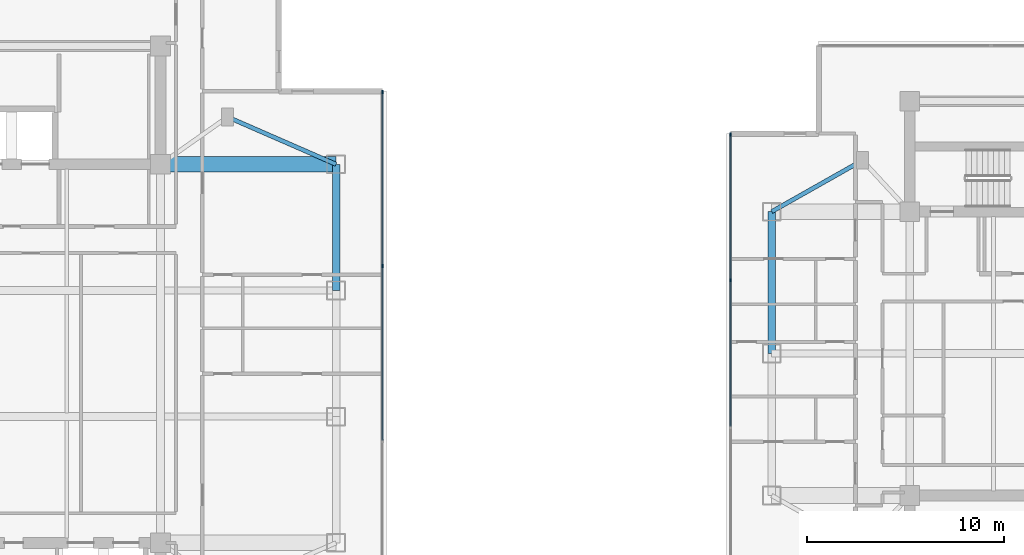
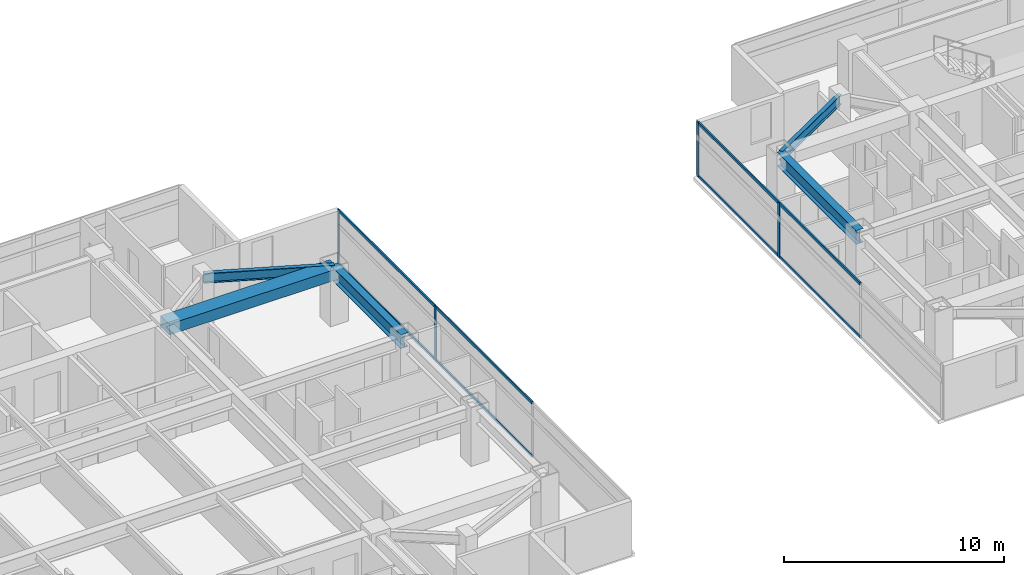
# One storey, part 6 of 24: 12 members, 5 beams, 2 elements without a shape of their own.
"""IFC4 building model written with IfcOpenShell, lengths in metres."""

from ifc_helpers import new_model, si_unit, direction, frame, origin, origin_2d, place, context, subcontext, project, spatial, rectangle, i_section, extrude, material, material_profile, profile_set, type_object, element, aggregate, save


model = new_model("IFC4")

# Units and contexts
model_context = context("Model", 3, precision=1e-05, world=origin(), true_north=direction((0.0, 1.0)))
body_context = subcontext(model_context, "Body", "Model", "MODEL_VIEW")
ifc_project = project(units=[si_unit("LENGTHUNIT", "METRE"), si_unit("AREAUNIT", "SQUARE_METRE"), si_unit("VOLUMEUNIT", "CUBIC_METRE"), si_unit("PLANEANGLEUNIT", "RADIAN"), si_unit("MASSUNIT", "GRAM", prefix="KILO")], contexts=[model_context])

# Site, building, storey
site_placement = place(None, origin())
site = spatial("IfcSite", under=ifc_project, at=site_placement, CompositionType="ELEMENT")
building_placement = place(site_placement, origin())
building = spatial("IfcBuilding", under=site, at=building_placement, Name="Mirazonda Arch Towers", CompositionType="ELEMENT")
storey_placement = place(building_placement, frame((0.0, 0.0, 167.39990234375)))
storey = spatial("IfcBuildingStorey", under=building, at=storey_placement, Name="L47", CompositionType="ELEMENT", Elevation=167.39990234375)

# Beams
ifc_material_1 = material(Name="Steel ASTM A992 Grade 50", Category="steel")
ifc_material_profile_1 = material_profile(ifc_material_1, i_section(OverallWidth=0.381103515625, OverallDepth=0.77294921875, WebThickness=0.0166015625, FlangeThickness=0.027099609375, at=origin_2d()), Name="W30X173")
ifc_profile_set_1 = profile_set([ifc_material_profile_1], Name="Steel ASTM A992 Grade 50")
beam_type_1 = type_object("IfcBeamType", Name="BM-EXT-W30X173", PredefinedType="USERDEFINED", material=ifc_profile_set_1)
beam_1_placement = place(storey_placement, frame((38.89990234375, 31.199951171875, 2.66357421875), z_axis=(0.0, 1.0, 0.0), x_axis=(-1.0, 0.0, 0.0)))
element("IfcBeam", 1, at=beam_1_placement, inside=storey, type_object=beam_type_1, Name="L47 Floor Beam BM-T1-L47-NS-E-31", ObjectType="GIRDER", PredefinedType="USERDEFINED", context=body_context, shape_type="SweptSolid", body=[
    extrude(i_section(OverallWidth=0.381103515625, OverallDepth=0.77294921875, WebThickness=0.0166015625, FlangeThickness=0.027099609375, at=origin_2d()), origin(), (0.0, 0.0, 1.0), 6.400146484375),
])
beam_2_placement = place(storey_placement, frame((61.0, 28.0, 2.66357421875), z_axis=(0.0, 1.0, 0.0), x_axis=(-1.0, 0.0, 0.0)))
element("IfcBeam", 2, at=beam_2_placement, inside=storey, type_object=beam_type_1, Name="L47 Floor Beam BM-T2-L47-NS-W-28", ObjectType="GIRDER", PredefinedType="USERDEFINED", context=body_context, shape_type="SweptSolid", body=[
    extrude(i_section(OverallWidth=0.381103515625, OverallDepth=0.77294921875, WebThickness=0.0166015625, FlangeThickness=0.027099609375, at=origin_2d()), origin(), (0.0, 0.0, 1.0), 7.199951171875),
])
ifc_material_profile_2 = material_profile(ifc_material_1, i_section(OverallWidth=0.214111328125, OverallDepth=0.549072265625, WebThickness=0.0146484375, FlangeThickness=0.023681640625, at=origin_2d()), Name="W21X93")
ifc_profile_set_2 = profile_set([ifc_material_profile_2], Name="Steel ASTM A992 Grade 50")
beam_type_2 = type_object("IfcBeamType", Name="BM-INT-W21X93", PredefinedType="BEAM", material=ifc_profile_set_2)
beam_3_placement = place(storey_placement, frame((33.39990234375, 40.0, 2.775634765625), z_axis=(0.916545343703, -0.399930785183, 0.0), x_axis=(0.399930785183, 0.916545343703, 0.0)))
element("IfcBeam", 3, at=beam_3_placement, inside=storey, type_object=beam_type_2, Name="L47 Floor Beam BM-T1-L47-PL-NE2", PredefinedType="BEAM", context=body_context, shape_type="SweptSolid", body=[
    extrude(i_section(OverallWidth=0.214111328125, OverallDepth=0.549072265625, WebThickness=0.0146484375, FlangeThickness=0.023681640625, at=origin_2d()), origin(), (0.0, 0.0, 1.0), 6.000732421875),
])
beam_4_placement = place(storey_placement, frame((65.60009765625, 37.800048828125, 2.775634765625), z_axis=(-0.870559396632, -0.492063346467, 0.0), x_axis=(0.492063346467, -0.870559396632, 0.0)))
element("IfcBeam", 4, at=beam_4_placement, inside=storey, type_object=beam_type_2, Name="L47 Floor Beam BM-T2-L47-PL-NW2", PredefinedType="BEAM", context=body_context, shape_type="SweptSolid", body=[
    extrude(i_section(OverallWidth=0.214111328125, OverallDepth=0.549072265625, WebThickness=0.0146484375, FlangeThickness=0.023681640625, at=origin_2d()), origin(), (0.0, 0.0, 1.0), 5.2841796875),
])
ifc_material_2 = material(Name="Concrete C60/75", Category="concrete")
ifc_material_profile_3 = material_profile(ifc_material_2, rectangle(XDim=0.800048828125, YDim=0.60009765625, at=origin_2d()), Name="RCCB800x600")
ifc_profile_set_3 = profile_set([ifc_material_profile_3], Name="Concrete C60/75")
beam_type_3 = type_object("IfcBeamType", Name="CB-INT-RCCB800x600", PredefinedType="SPANDREL", material=ifc_profile_set_3)
beam_5_placement = place(storey_placement, frame((30.0, 37.60009765625, 2.75), z_axis=(1.0, 0.0, 0.0), x_axis=(0.0, 1.0, 0.0)))
element("IfcBeam", 5, at=beam_5_placement, inside=storey, type_object=beam_type_3, Name="L47 Floor Beam CBC-T1-L47-NE", PredefinedType="SPANDREL", context=body_context, shape_type="SweptSolid", body=[
    extrude(rectangle(XDim=0.800048828125, YDim=0.60009765625, at=origin_2d()), origin(), (0.0, 0.0, 1.0), 8.89990234375),
])

# Curtain wall, members
ifc_material_3 = material(Name="Anodised Aluminium and Low-E Glass", Category="aluminium")
curtain_wall_type = type_object("IfcCurtainWallType", Name="CW-RES-UNIT", PredefinedType="NOTDEFINED", material=ifc_material_3)
curtain_wall_1_placement = place(storey_placement, origin())
curtain_wall_1 = element("IfcCurtainWall", 6, at=curtain_wall_1_placement, inside=storey, type_object=curtain_wall_type, Name="L47 T1 E Facade CW-L47-T1-E", PredefinedType="NOTDEFINED")
ifc_material_4 = material(Name="Anodised Aluminium Alloy", Category="aluminium")
ifc_material_profile_4 = material_profile(ifc_material_4, rectangle(XDim=0.074951171875, YDim=0.175048828125, at=origin_2d()), Name="ALU-MULL-75x175")
ifc_profile_set_4 = profile_set([ifc_material_profile_4], Name="Anodised Aluminium Alloy")
member_type_1 = type_object("IfcMemberType", Name="MULL-CW-RES-UNIT", PredefinedType="MULLION", material=ifc_profile_set_4)
member_1_placement = place(storey_placement, frame((41.25, 32.43896484375, 0.0), z_axis=(0.0, 0.0, 1.0), x_axis=(-1.0, 0.0, 0.0)))
member_1 = element("IfcMember", 7, at=member_1_placement, type_object=member_type_1, Name="CW-104 mullion 3", PredefinedType="MULLION", context=body_context, shape_type="SweptSolid", body=[
    extrude(rectangle(XDim=0.074951171875, YDim=0.175048828125, at=origin_2d()), origin(), (0.0, 0.0, 1.0), 3.030029296875),
])
member_2_placement = place(storey_placement, frame((41.25, 41.279541015625, 0.0), z_axis=(0.0, 0.0, 1.0), x_axis=(-1.0, 0.0, 0.0)))
member_2 = element("IfcMember", 8, at=member_2_placement, type_object=member_type_1, Name="CW-104 mullion 4", PredefinedType="MULLION", context=body_context, shape_type="SweptSolid", body=[
    extrude(rectangle(XDim=0.074951171875, YDim=0.175048828125, at=origin_2d()), origin(), (0.0, 0.0, 1.0), 3.030029296875),
])

curtain_wall_2_placement = place(storey_placement, origin())
curtain_wall_2 = element("IfcCurtainWall", 9, at=curtain_wall_2_placement, inside=storey, type_object=curtain_wall_type, Name="L47 T2 W Facade CW-L47-T2-W", PredefinedType="NOTDEFINED")
member_3_placement = place(storey_placement, frame((58.91552734375, 39.1220703125, 0.0), z_axis=(0.0, 0.0, 1.0), x_axis=(1.0, 0.0, 0.0)))
member_3 = element("IfcMember", 10, at=member_3_placement, type_object=member_type_1, Name="CW-104 mullion 1", PredefinedType="MULLION", context=body_context, shape_type="SweptSolid", body=[
    extrude(rectangle(XDim=0.074951171875, YDim=0.175048828125, at=origin_2d()), origin(), (0.0, 0.0, 1.0), 3.030029296875),
])
member_4_placement = place(storey_placement, frame((58.91552734375, 31.7197265625, 0.0), z_axis=(0.0, 0.0, 1.0), x_axis=(1.0, 0.0, 0.0)))
member_4 = element("IfcMember", 11, at=member_4_placement, type_object=member_type_1, Name="CW-104 mullion 2", PredefinedType="MULLION", context=body_context, shape_type="SweptSolid", body=[
    extrude(rectangle(XDim=0.074951171875, YDim=0.175048828125, at=origin_2d()), origin(), (0.0, 0.0, 1.0), 3.030029296875),
])

# Member
ifc_material_profile_5 = material_profile(ifc_material_4, rectangle(XDim=0.074951171875, YDim=0.155029296875, at=origin_2d()), Name="ALU-TRAN-75x155")
ifc_profile_set_5 = profile_set([ifc_material_profile_5], Name="Anodised Aluminium Alloy")
member_type_2 = type_object("IfcMemberType", Name="TRAN-CW-RES-UNIT", PredefinedType="USERDEFINED", material=ifc_profile_set_5)
member_5_placement = place(storey_placement, frame((41.25, 23.598388671875, 0.03759765625), z_axis=(0.0, 1.0, 0.0), x_axis=(-1.0, 0.0, 0.0)))
member_5 = element("IfcMember", 12, at=member_5_placement, type_object=member_type_2, Name="CW-104 transom 2.1", ObjectType="TRANSOM", PredefinedType="USERDEFINED", context=body_context, shape_type="SweptSolid", body=[
    extrude(rectangle(XDim=0.074951171875, YDim=0.155029296875, at=origin_2d()), origin(), (0.0, 0.0, 1.0), 8.80322265625),
])

member_6_placement = place(storey_placement, frame((41.25, 23.598388671875, 2.99267578125), z_axis=(0.0, 1.0, 0.0), x_axis=(-1.0, 0.0, 0.0)))
member_6 = element("IfcMember", 13, at=member_6_placement, type_object=member_type_2, Name="CW-104 transom 2.2", ObjectType="TRANSOM", PredefinedType="USERDEFINED", context=body_context, shape_type="SweptSolid", body=[
    extrude(rectangle(XDim=0.074951171875, YDim=0.155029296875, at=origin_2d()), origin(), (0.0, 0.0, 1.0), 8.80322265625),
])

member_7_placement = place(storey_placement, frame((41.25, 32.4765625, 0.03759765625), z_axis=(0.0, 1.0, 0.0), x_axis=(-1.0, 0.0, 0.0)))
member_7 = element("IfcMember", 14, at=member_7_placement, type_object=member_type_2, Name="CW-104 transom 3.1", ObjectType="TRANSOM", PredefinedType="USERDEFINED", context=body_context, shape_type="SweptSolid", body=[
    extrude(rectangle(XDim=0.074951171875, YDim=0.155029296875, at=origin_2d()), origin(), (0.0, 0.0, 1.0), 8.765380859375),
])

member_8_placement = place(storey_placement, frame((41.25, 32.4765625, 2.99267578125), z_axis=(0.0, 1.0, 0.0), x_axis=(-1.0, 0.0, 0.0)))
member_8 = element("IfcMember", 15, at=member_8_placement, type_object=member_type_2, Name="CW-104 transom 3.2", ObjectType="TRANSOM", PredefinedType="USERDEFINED", context=body_context, shape_type="SweptSolid", body=[
    extrude(rectangle(XDim=0.074951171875, YDim=0.155029296875, at=origin_2d()), origin(), (0.0, 0.0, 1.0), 8.765380859375),
])

aggregate(curtain_wall_1, [member_1, member_2, member_5, member_6, member_7, member_8])

member_9_placement = place(storey_placement, frame((58.91552734375, 39.08447265625, 0.03759765625), z_axis=(0.0, -1.0, 0.0), x_axis=(1.0, 0.0, 0.0)))
member_9 = element("IfcMember", 16, at=member_9_placement, type_object=member_type_2, Name="CW-104 transom 1.1", ObjectType="TRANSOM", PredefinedType="USERDEFINED", context=body_context, shape_type="SweptSolid", body=[
    extrude(rectangle(XDim=0.074951171875, YDim=0.155029296875, at=origin_2d()), origin(), (0.0, 0.0, 1.0), 7.3271484375),
])

member_10_placement = place(storey_placement, frame((58.91552734375, 39.08447265625, 2.99267578125), z_axis=(0.0, -1.0, 0.0), x_axis=(1.0, 0.0, 0.0)))
member_10 = element("IfcMember", 17, at=member_10_placement, type_object=member_type_2, Name="CW-104 transom 1.2", ObjectType="TRANSOM", PredefinedType="USERDEFINED", context=body_context, shape_type="SweptSolid", body=[
    extrude(rectangle(XDim=0.074951171875, YDim=0.155029296875, at=origin_2d()), origin(), (0.0, 0.0, 1.0), 7.3271484375),
])

member_11_placement = place(storey_placement, frame((58.91552734375, 31.682373046875, 0.03759765625), z_axis=(0.0, -1.0, 0.0), x_axis=(1.0, 0.0, 0.0)))
member_11 = element("IfcMember", 18, at=member_11_placement, type_object=member_type_2, Name="CW-104 transom 2.1", ObjectType="TRANSOM", PredefinedType="USERDEFINED", context=body_context, shape_type="SweptSolid", body=[
    extrude(rectangle(XDim=0.074951171875, YDim=0.155029296875, at=origin_2d()), origin(), (0.0, 0.0, 1.0), 7.36474609375),
])

member_12_placement = place(storey_placement, frame((58.91552734375, 31.682373046875, 2.99267578125), z_axis=(0.0, -1.0, 0.0), x_axis=(1.0, 0.0, 0.0)))
member_12 = element("IfcMember", 19, at=member_12_placement, type_object=member_type_2, Name="CW-104 transom 2.2", ObjectType="TRANSOM", PredefinedType="USERDEFINED", context=body_context, shape_type="SweptSolid", body=[
    extrude(rectangle(XDim=0.074951171875, YDim=0.155029296875, at=origin_2d()), origin(), (0.0, 0.0, 1.0), 7.36474609375),
])

aggregate(curtain_wall_2, [member_3, member_4, member_9, member_10, member_11, member_12])

save(model, "model.ifc")
